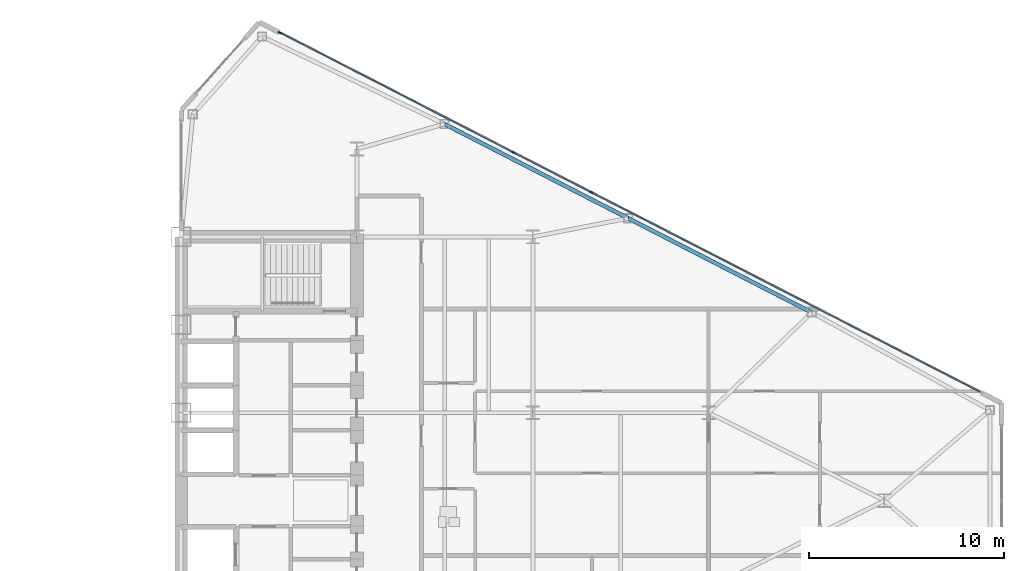
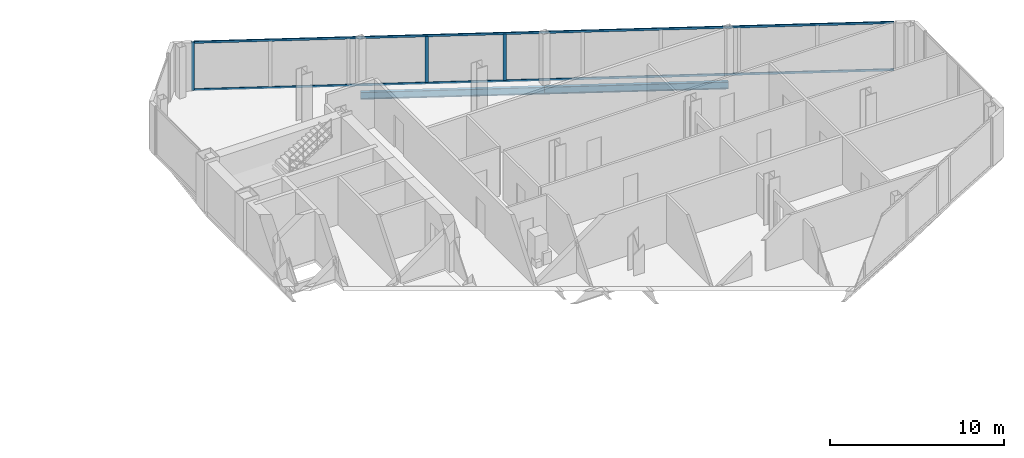
# One storey, part 12 of 24: 5 members, 2 beams, 1 element without a shape of its own.
"""IFC4 building model written with IfcOpenShell, lengths in metres."""

import ifcopenshell
import ifcopenshell.guid

model = None  # the IFC model being written
_history = None  # IfcOwnerHistory: only IFC2X3 demands one
_inside = {}  # id of a spatial element -> (the spatial element, [elements in it])
_under = {}  # id of a project, library or spatial element -> (it, [spatial elements below it])
_declared = {}  # id of a project -> (the project, [libraries it declares])
_typed = {}  # id of a type object -> (the type object, [elements of that type])
_made_of = {}  # id of a material, layer set ... -> (it, [elements and type objects made of it])


def new_model(schema):
    """Start an empty IFC model of exactly this schema.

    Asked for "IFC4X3", IfcOpenShell would pick the latest addendum, in which some entities
    have other attributes; the version numbers below select the first issue.
    IFC2X3 requires an IfcOwnerHistory on every rooted entity: one is made here for all.
    """
    global model, _history
    if schema == "IFC4X3":
        model = ifcopenshell.file(schema_version=(4, 3, 0, 0))
    else:
        model = ifcopenshell.file(schema=schema)
    _inside.clear()
    _under.clear()
    _declared.clear()
    _typed.clear()
    _made_of.clear()
    _history = None
    if model.schema == "IFC2X3":
        org = make("IfcOrganization", Name="unknown")
        user = make(
            "IfcPersonAndOrganization",
            ThePerson=make("IfcPerson", FamilyName="unknown"),
            TheOrganization=org,
        )
        app = make(
            "IfcApplication",
            ApplicationDeveloper=org,
            Version="unknown",
            ApplicationFullName="unknown",
            ApplicationIdentifier="unknown",
        )
        _history = make(
            "IfcOwnerHistory",
            OwningUser=user,
            OwningApplication=app,
            ChangeAction="ADDED",
            CreationDate=0,
        )
    return model


def make(cls, **values):
    """One entity of the class cls with the attributes given. An attribute that is None is left unset."""
    return model.create_entity(
        cls, **{name: value for name, value in values.items() if value is not None}
    )


def rooted(cls, **values):
    """An entity with a GlobalId (a new one), such as an element, a storey or a relation."""
    return make(cls, GlobalId=ifcopenshell.guid.new(), OwnerHistory=_history, **values)


def si_unit(unit_type, name, prefix=None):
    """IfcSIUnit, for example si_unit("LENGTHUNIT", "METRE", prefix="MILLI")."""
    return make("IfcSIUnit", UnitType=unit_type, Prefix=prefix, Name=name)


def assignment(units):
    """IfcUnitAssignment: the units of a project."""
    return None if units is None else make("IfcUnitAssignment", Units=units)


def point(xyz):
    """IfcCartesianPoint."""
    return None if xyz is None else make("IfcCartesianPoint", Coordinates=xyz)


def direction(xyz):
    """IfcDirection."""
    return None if xyz is None else make("IfcDirection", DirectionRatios=xyz)


def frame(location, z_axis=None, x_axis=None):
    """IfcAxis2Placement3D, a coordinate frame: its origin and axes. An axis left out is left unset."""
    return make(
        "IfcAxis2Placement3D",
        Location=point(location),
        Axis=direction(z_axis),
        RefDirection=direction(x_axis),
    )


def frame_2d(location, x_axis=None):
    """IfcAxis2Placement2D, a coordinate frame in the plane: its origin and x axis."""
    return make(
        "IfcAxis2Placement2D", Location=point(location), RefDirection=direction(x_axis)
    )


def origin():
    """The frame at (0, 0, 0) with its axes left unset."""
    return frame((0.0, 0.0, 0.0))


def origin_2d():
    """The frame at (0, 0) in the plane with its x axis left unset."""
    return frame_2d((0.0, 0.0))


def place(relative_to, where):
    """IfcLocalPlacement: puts the frame where relative to a parent placement (None: the world)."""
    return make(
        "IfcLocalPlacement", PlacementRelTo=relative_to, RelativePlacement=where
    )


def context(
    kind, dimensions, precision=None, world=None, true_north=None, identifier=None
):
    """IfcGeometricRepresentationContext, for example the 3D "Model" context."""
    return make(
        "IfcGeometricRepresentationContext",
        ContextIdentifier=identifier,
        ContextType=kind,
        CoordinateSpaceDimension=dimensions,
        Precision=precision,
        WorldCoordinateSystem=world,
        TrueNorth=true_north,
    )


def subcontext(parent, identifier, kind, view, scale=None):
    """IfcGeometricRepresentationSubContext, for example "Body" below "Model"."""
    return make(
        "IfcGeometricRepresentationSubContext",
        ContextIdentifier=identifier,
        ContextType=kind,
        ParentContext=parent,
        TargetScale=scale,
        TargetView=view,
    )


def project(units=None, contexts=None):
    """IfcProject with its units and contexts."""
    return rooted(
        "IfcProject",
        Name="project",
        RepresentationContexts=contexts,
        UnitsInContext=assignment(units),
    )


def spatial(cls, under=None, at=None, **own):
    """A site, building, storey or space (cls), placed at a placement, below another one or the project."""
    s = rooted(cls, ObjectPlacement=at, **own)
    if under is not None:
        _under.setdefault(under.id(), (under, []))[1].append(s)
    return s


def profile(cls, at=None, kind="AREA", **sizes):
    """A parametric profile (cls). Its sizes go by their IFC names, for example OverallWidth=200.0."""
    return make(cls, ProfileType=kind, Position=at, **sizes)


def rectangle(**sizes):
    """IfcRectangleProfileDef."""
    return profile("IfcRectangleProfileDef", **sizes)


def i_section(**sizes):
    """IfcIShapeProfileDef."""
    return profile("IfcIShapeProfileDef", **sizes)


def extrude(swept, where, along, depth):
    """IfcExtrudedAreaSolid: the profile swept, set in the frame where, extruded along a direction by depth."""
    return make(
        "IfcExtrudedAreaSolid",
        SweptArea=swept,
        Position=where,
        ExtrudedDirection=direction(along),
        Depth=depth,
    )


def shape(context_of_items, identifier, shape_type, items):
    """IfcShapeRepresentation: the items that make up one representation, for example the "Body"."""
    return make(
        "IfcShapeRepresentation",
        ContextOfItems=context_of_items,
        RepresentationIdentifier=identifier,
        RepresentationType=shape_type,
        Items=items,
    )


def source(mapping_origin, context_of_items, identifier, shape_type, items):
    """IfcRepresentationMap: a shape defined once, which mapped items show again and again."""
    return make(
        "IfcRepresentationMap",
        MappingOrigin=mapping_origin,
        MappedRepresentation=shape(context_of_items, identifier, shape_type, items),
    )


def transform(
    local_origin,
    x_axis=None,
    y_axis=None,
    z_axis=None,
    scale=None,
    scale2=None,
    scale3=None,
    uniform=True,
):
    """IfcCartesianTransformationOperator3D, or its non-uniform kind. x_axis, y_axis, z_axis: its Axis1, 2, 3."""
    if uniform:
        return make(
            "IfcCartesianTransformationOperator3D",
            Axis1=direction(x_axis),
            Axis2=direction(y_axis),
            LocalOrigin=point(local_origin),
            Scale=scale,
            Axis3=direction(z_axis),
        )
    return make(
        "IfcCartesianTransformationOperator3DnonUniform",
        Axis1=direction(x_axis),
        Axis2=direction(y_axis),
        LocalOrigin=point(local_origin),
        Scale=scale,
        Axis3=direction(z_axis),
        Scale2=scale2,
        Scale3=scale3,
    )


def mapped(mapping_source, mapping_target):
    """IfcMappedItem: shows the shape of a source again, moved by a transform."""
    return make(
        "IfcMappedItem", MappingSource=mapping_source, MappingTarget=mapping_target
    )


def material(Name=None, Category=None):
    """IfcMaterial."""
    return make("IfcMaterial", Name=Name, Category=Category)


def layer(
    of_material, thickness, ventilated=None, Name=None, Category=None, Priority=None
):
    """IfcMaterialLayer: one layer of a wall or slab, of a material (None: an air gap)."""
    return make(
        "IfcMaterialLayer",
        Material=of_material,
        LayerThickness=thickness,
        IsVentilated=ventilated,
        Name=Name,
        Category=Category,
        Priority=Priority,
    )


def layer_set(layers, Name=None):
    """IfcMaterialLayerSet."""
    return make("IfcMaterialLayerSet", MaterialLayers=layers, LayerSetName=Name)


def material_profile(
    of_material, cross_section, Name=None, Category=None, Priority=None
):
    """IfcMaterialProfile: a cross section and its material."""
    return make(
        "IfcMaterialProfile",
        Name=Name,
        Material=of_material,
        Profile=cross_section,
        Priority=Priority,
        Category=Category,
    )


def profile_set(profiles, Name=None, composite=None):
    """IfcMaterialProfileSet."""
    return make(
        "IfcMaterialProfileSet",
        Name=Name,
        MaterialProfiles=profiles,
        CompositeProfile=composite,
    )


def made_of(thing, what):
    """Note that an element or type object is made of a material, layer set ...; save() writes the relation."""
    if what is not None:
        _made_of.setdefault(what.id(), (what, []))[1].append(thing)
    return thing


def type_object(cls, material=None, **own):
    """A type object (cls), such as IfcWallType, which elements share."""
    return made_of(rooted(cls, **own), material)


def type_shapes(of_type, sources):
    """Give a type object the sources (RepresentationMaps) that its elements show as mapped items."""
    of_type.RepresentationMaps = sources


def element(
    cls,
    number,
    at=None,
    inside=None,
    cuts=None,
    type_object=None,
    material=None,
    context=None,
    identifier="Body",
    shape_type=None,
    held_by="IfcProductDefinitionShape",
    body=None,
    shapes=None,
    **own,
):
    """One element of the class cls, such as IfcWall. Its Tag is "e" and its number.

    at: its placement. inside: the storey or other place that contains it. cuts: it is an
    opening in that element (IfcRelVoidsElement). A single representation is given by context,
    identifier, shape_type and body (its items); several are given by shapes. held_by: the class
    of the entity that holds the representations. save() writes the other relations.
    """
    e = rooted(cls, Tag="e%d" % number, ObjectPlacement=at, **own)
    if body is not None:
        shapes = [shape(context, identifier, shape_type, body)]
    if shapes is not None:
        e.Representation = make(held_by, Representations=shapes)
    if inside is not None:
        _inside.setdefault(inside.id(), (inside, []))[1].append(e)
    if cuts is not None:
        rooted(
            "IfcRelVoidsElement", RelatingBuildingElement=cuts, RelatedOpeningElement=e
        )
    if type_object is not None:
        _typed.setdefault(type_object.id(), (type_object, []))[1].append(e)
    return made_of(e, material)


def aggregate(whole, parts):
    """IfcRelAggregates: a whole, such as a stair, and the parts it consists of."""
    return rooted("IfcRelAggregates", RelatingObject=whole, RelatedObjects=parts)


def save(model, path):
    """Write the relations noted so far, then the file.

    IfcRelAggregates (storeys below a building ...), IfcRelContainedInSpatialStructure (elements
    in a storey), IfcRelDefinesByType, IfcRelAssociatesMaterial and IfcRelDeclares: one each for
    every whole, place, type object, material and project.
    """
    for whole, parts in _under.values():
        aggregate(whole, parts)
    for where, things in _inside.values():
        rooted(
            "IfcRelContainedInSpatialStructure",
            RelatedElements=things,
            RelatingStructure=where,
        )
    for kind, things in _typed.values():
        rooted("IfcRelDefinesByType", RelatedObjects=things, RelatingType=kind)
    for what, things in _made_of.values():
        rooted("IfcRelAssociatesMaterial", RelatedObjects=things, RelatingMaterial=what)
    for by, libraries in _declared.values():
        rooted("IfcRelDeclares", RelatingContext=by, RelatedDefinitions=libraries)
    model.write(path)


model = new_model("IFC4")

# Units and contexts
model_context = context("Model", 3, precision=1e-05, world=origin(), true_north=direction((0.0, 1.0)))
body_context = subcontext(model_context, "Body", "Model", "MODEL_VIEW")
ifc_project = project(units=[si_unit("LENGTHUNIT", "METRE"), si_unit("AREAUNIT", "SQUARE_METRE"), si_unit("VOLUMEUNIT", "CUBIC_METRE"), si_unit("PLANEANGLEUNIT", "RADIAN"), si_unit("MASSUNIT", "GRAM", prefix="KILO")], contexts=[model_context])

# Site, building, storey
site_placement = place(None, origin())
site = spatial("IfcSite", under=ifc_project, at=site_placement, CompositionType="ELEMENT")
building_placement = place(site_placement, origin())
building = spatial("IfcBuilding", under=site, at=building_placement, Name="Seokmaru Belvedere", CompositionType="ELEMENT")
storey_placement = place(building_placement, frame((0.0, 0.0, 124.800048828125)))
storey = spatial("IfcBuildingStorey", under=building, at=storey_placement, Name="L33", CompositionType="ELEMENT", Elevation=124.800048828125)

# Beams
ifc_material_1 = material(Name="Steel SM355 (355 MPa)", Category="steel")
ifc_material_profile_1 = material_profile(ifc_material_1, i_section(OverallWidth=0.199951171875, OverallDepth=0.5, WebThickness=0.010009765625, FlangeThickness=0.01611328125, at=origin_2d()), Name="H-500x200x10x16")
ifc_profile_set_1 = profile_set([ifc_material_profile_1], Name="Steel SM355 (355 MPa)")
beam_type = type_object("IfcBeamType", Name="Perimeter Spandrel Beam H-500", PredefinedType="SPANDREL", material=ifc_profile_set_1)
shared_shape_1 = source(origin(), body_context, "Body", "SweptSolid", [
    extrude(i_section(OverallWidth=0.199951171875, OverallDepth=0.5, WebThickness=0.010009765625, FlangeThickness=0.01611328125, at=origin_2d()), origin(), (0.0, 0.0, 1.0), 10.56689453125),
])
type_shapes(beam_type, [shared_shape_1])
for number, where, z_axis, x_axis, name in (
    (1, (40.975830078125, 19.277587890625, -0.469970703125), (0.889701972758, -0.45654178305, 0.0), (0.45654178305, 0.889701972758, 0.0), "L33 E Faceted Flank Spandrel N-2"),
    (2, (50.377197265625, 14.453369140625, -0.469970703125), (0.889692588006, -0.456560071455, 0.0), (0.456560071455, 0.889692588006, 0.0), "L33 E Faceted Flank Spandrel N-3"),
):
    element("IfcBeam", number, at=place(storey_placement, frame(where, z_axis=z_axis, x_axis=x_axis)), inside=storey, type_object=beam_type, Name=name, PredefinedType="SPANDREL", context=body_context, shape_type="MappedRepresentation", body=[
        mapped(shared_shape_1, transform((0.0, 0.0, 0.0), scale=1.0)),
    ])

# Curtain wall, members
ifc_material_2 = material(Name="Bronze Triple Insulating Glass", Category="glass")
ifc_layer = layer(ifc_material_2, 0.195068359375)
ifc_layer_set = layer_set([ifc_layer], Name="Bronze Triple Insulating Glass")
curtain_wall_type = type_object("IfcCurtainWallType", Name="Sky-Lobby and Mid-Rise Curtain Wall System CW-4", PredefinedType="NOTDEFINED", material=ifc_layer_set)
curtain_wall_placement = place(storey_placement, origin())
curtain_wall = element("IfcCurtainWall", 3, at=curtain_wall_placement, inside=storey, type_object=curtain_wall_type, Name="L33 Curtain Wall EF3", PredefinedType="NOTDEFINED")
ifc_material_3 = material(Name="Anodised Bronze Aluminium", Category="aluminium")
ifc_material_profile_2 = material_profile(ifc_material_3, rectangle(XDim=0.070068359375, YDim=0.195068359375, at=origin_2d()), Name="CW-M-70x195")
ifc_profile_set_2 = profile_set([ifc_material_profile_2], Name="Anodised Bronze Aluminium")
member_type_1 = type_object("IfcMemberType", Name="Bronze Unitised Mullion 70x195", PredefinedType="MULLION", material=ifc_profile_set_2)
shared_shape_2 = source(origin(), body_context, "Body", "SweptSolid", [
    extrude(rectangle(XDim=0.070068359375, YDim=0.195068359375, at=origin_2d()), origin(), (0.0, 0.0, 1.0), 3.3798828125),
])
member_1_placement = place(storey_placement, frame((32.55419921875, 23.958984375, 0.0), z_axis=(0.0, 0.0, 1.0), x_axis=(-0.456554528263, -0.889695432562, 0.0)))
member_1 = element("IfcMember", 4, at=member_1_placement, type_object=member_type_1, Name="CW:L33:EF3 Mullion 10", PredefinedType="MULLION", context=body_context, shape_type="MappedRepresentation", body=[
    mapped(shared_shape_2, transform((0.0, 0.0, 0.0), scale=1.0)),
])
shared_shape_3 = source(origin(), body_context, "Body", "SweptSolid", [
    extrude(rectangle(XDim=0.070068359375, YDim=0.195068359375, at=origin_2d()), origin(), (0.0, 0.0, 1.0), 3.25),
])
type_shapes(member_type_1, [shared_shape_2, shared_shape_3])
member_2_placement = place(storey_placement, frame((48.502685546875, 15.77490234375, 0.06494140625), z_axis=(0.0, 0.0, 1.0), x_axis=(-0.456554528263, -0.889695432562, 0.0)))
member_2 = element("IfcMember", 5, at=member_2_placement, type_object=member_type_1, Name="CW:L33:EF3 Mullion 6", PredefinedType="MULLION", context=body_context, shape_type="MappedRepresentation", body=[
    mapped(shared_shape_3, transform((0.0, 0.0, 0.0), scale=1.0)),
])
member_3_placement = place(storey_placement, frame((44.5078125, 17.824951171875, 0.06494140625), z_axis=(0.0, 0.0, 1.0), x_axis=(-0.456554528263, -0.889695432562, 0.0)))
member_3 = element("IfcMember", 6, at=member_3_placement, type_object=member_type_1, Name="CW:L33:EF3 Mullion 7", PredefinedType="MULLION", context=body_context, shape_type="MappedRepresentation", body=[
    mapped(shared_shape_3, transform((0.0, 0.0, 0.0), scale=1.0)),
])
ifc_material_profile_3 = material_profile(ifc_material_3, rectangle(XDim=0.06494140625, YDim=0.14990234375, at=origin_2d()), Name="CW-T-65x150")
ifc_profile_set_3 = profile_set([ifc_material_profile_3], Name="Anodised Bronze Aluminium")
member_type_2 = type_object("IfcMemberType", Name="Bronze Unitised Transom 65x150", PredefinedType="USERDEFINED", material=ifc_profile_set_3)
shared_shape_4 = source(origin(), body_context, "Body", "SweptSolid", [
    extrude(rectangle(XDim=0.06494140625, YDim=0.14990234375, at=origin_2d()), origin(), (0.0, 0.0, 1.0), 40.271240234375),
])
type_shapes(member_type_2, [shared_shape_4])
member_4_placement = place(storey_placement, frame((68.41455078125, 5.556884765625, 0.032470703125), z_axis=(-0.889693089107, 0.456559094965, 0.0), x_axis=(-0.456559094965, -0.889693089107, 0.0)))
member_4 = element("IfcMember", 7, at=member_4_placement, type_object=member_type_2, Name="CW:L33:EF3 Continuous Transom 1", ObjectType="TRANSOM", PredefinedType="USERDEFINED", context=body_context, shape_type="MappedRepresentation", body=[
    mapped(shared_shape_4, transform((0.0, 0.0, 0.0), scale=1.0)),
])
member_5_placement = place(storey_placement, frame((68.41455078125, 5.556884765625, 3.347412109375), z_axis=(-0.889693089107, 0.456559094965, 0.0), x_axis=(-0.456559094965, -0.889693089107, 0.0)))
member_5 = element("IfcMember", 8, at=member_5_placement, type_object=member_type_2, Name="CW:L33:EF3 Continuous Transom 2", ObjectType="TRANSOM", PredefinedType="USERDEFINED", context=body_context, shape_type="MappedRepresentation", body=[
    mapped(shared_shape_4, transform((0.0, 0.0, 0.0), scale=1.0)),
])
aggregate(curtain_wall, [member_2, member_3, member_1, member_4, member_5])

save(model, "model.ifc")
